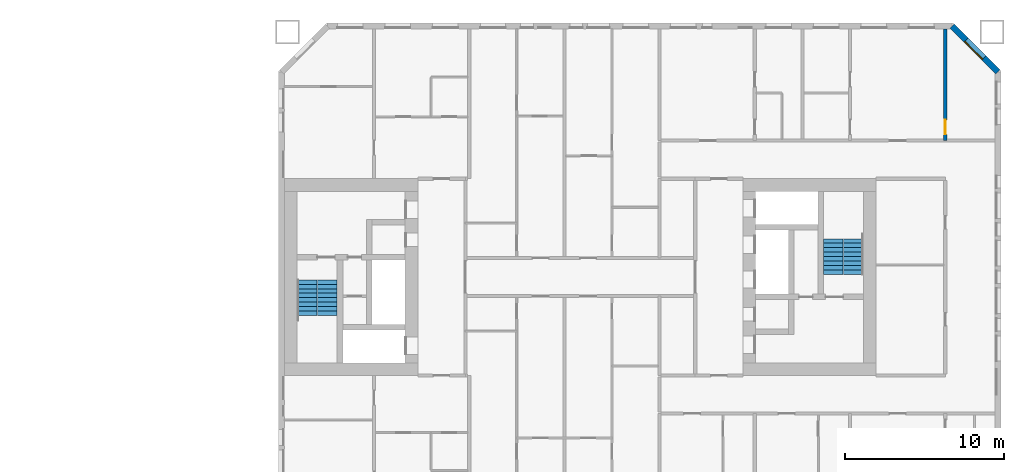
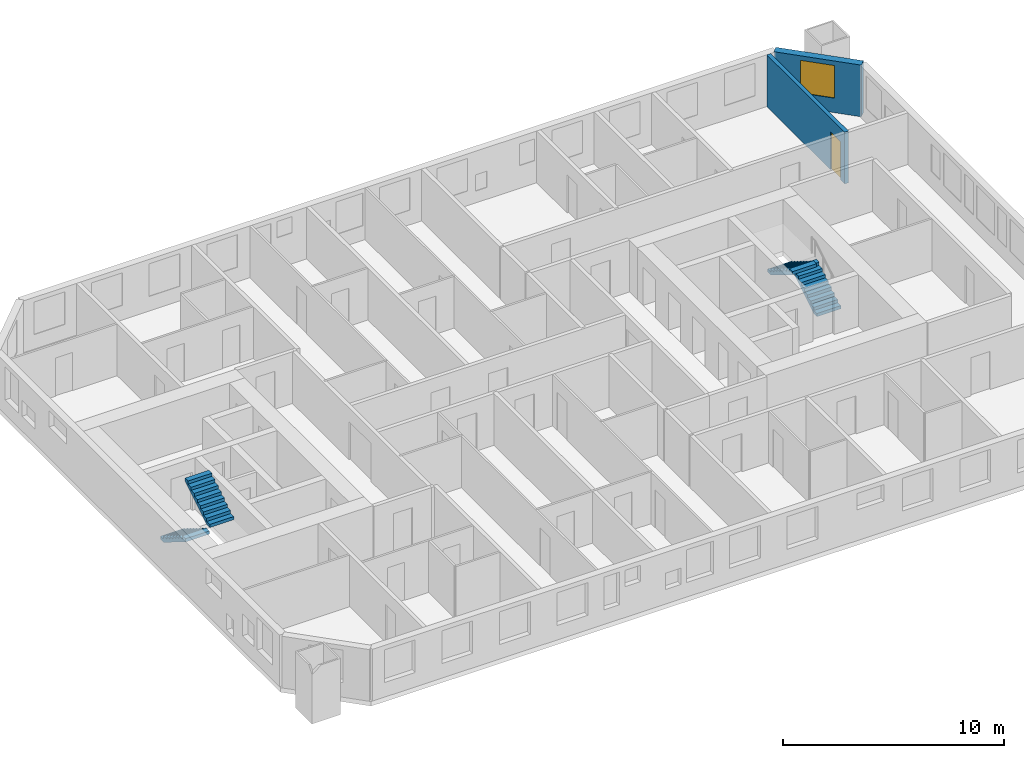
# One storey, part 17 of 19: 4 stair flights, 2 walls, 1 door, 1 window, 2 openings, 2 elements without a shape of their own.
"""IFC4 building model written with IfcOpenShell, lengths in metres."""

from ifc_helpers import new_model, si_unit, direction, frame, frame_2d, origin, place, context, subcontext, project, spatial, polyline, rectangle, outline, extrude, material, layer, layer_set, type_object, element, fill, aggregate, save


model = new_model("IFC4")

# Units and contexts
model_context = context("Model", 3, precision=1e-05, world=origin(), true_north=direction((0.0, 1.0)))
body_context = subcontext(model_context, "Body", "Model", "MODEL_VIEW")
ifc_project = project(units=[si_unit("LENGTHUNIT", "METRE"), si_unit("AREAUNIT", "SQUARE_METRE"), si_unit("VOLUMEUNIT", "CUBIC_METRE"), si_unit("PLANEANGLEUNIT", "RADIAN"), si_unit("MASSUNIT", "GRAM", prefix="KILO")], contexts=[model_context])

# Site, building, storey
site_placement = place(None, origin())
site = spatial("IfcSite", under=ifc_project, at=site_placement, CompositionType="ELEMENT")
building_placement = place(site_placement, origin())
building = spatial("IfcBuilding", under=site, at=building_placement, Name="Tuart Gate Housing", CompositionType="ELEMENT")
storey_placement = place(building_placement, frame((0.0, 0.0, 56.699951171875)))
storey = spatial("IfcBuildingStorey", under=building, at=storey_placement, Name="L15", CompositionType="ELEMENT", Elevation=56.699951171875)

# Wall, opening, window
ifc_material_1 = material(Name="Brick", Category="masonry")
ifc_layer_1 = layer(ifc_material_1, 0.360107421875)
ifc_layer_set_1 = layer_set([ifc_layer_1], Name="Brick pier and spandrel wall 360")
wall_type_1 = type_object("IfcWallType", Name="Brick pier and spandrel wall 360", PredefinedType="STANDARD", material=ifc_layer_set_1)
wall_1_placement = place(storey_placement, frame((176.320068359375, 82.92529296875, 0.0), z_axis=(0.0, 0.0, 1.0), x_axis=(-0.707106781187, 0.707106781187, 0.0)))
wall_1 = element("IfcWall", 1, at=wall_1_placement, inside=storey, type_object=wall_type_1, Name="External wall B-NE L15", PredefinedType="STANDARD", context=body_context, shape_type="SweptSolid", body=[
    extrude(rectangle(XDim=4.09375, YDim=0.360107421875, at=frame_2d((2.046875, 0.0))), origin(), (0.0, 0.0, 1.0), 2.85009765625),
])
opening_1_placement = place(wall_1_placement, frame((1.2470703125, 0.0, 0.800048828125)))
opening_1 = element("IfcOpeningElement", 2, at=opening_1_placement, cuts=wall_1, Name="Opening W1", PredefinedType="OPENING", context=body_context, shape_type="SweptSolid", body=[
    extrude(rectangle(XDim=1.60009765625, YDim=1.800048828125, at=frame_2d((0.800048828125, 0.89990234375))), frame((0.0, 0.18994140625, 0.0), z_axis=(0.0, -1.0, 0.0), x_axis=(1.0, 0.0, 0.0)), (0.0, 0.0, 1.0), 0.380126953125),
])
ifc_material_2 = material(Name="Aluminium frame with clear glass", Category="aluminium")
window_type = type_object("IfcWindowType", Name="Punched window 1600 x 1800", PartitioningType="SINGLE_PANEL", PredefinedType="WINDOW", material=ifc_material_2)
window_placement = place(opening_1_placement, origin())
window = element("IfcWindow", 3, at=window_placement, inside=storey, type_object=window_type, Name="Window W1", OverallHeight=1.800048828125, OverallWidth=1.60009765625, PartitioningType="SINGLE_PANEL", PredefinedType="WINDOW", context=body_context, shape_type="SweptSolid", body=[
    extrude(rectangle(XDim=1.60009765625, YDim=1.800048828125, at=frame_2d((0.800048828125, 0.89990234375))), frame((0.0, 0.150146484375, 0.0), z_axis=(0.0, -1.0, 0.0), x_axis=(1.0, 0.0, 0.0)), (0.0, 0.0, 1.0), 0.06005859375),
])
fill(opening_1, window)

# Wall, opening, door
ifc_material_3 = material(Name="Concrete C40", Category="concrete")
ifc_layer_2 = layer(ifc_material_3, 0.199951171875)
ifc_layer_set_2 = layer_set([ifc_layer_2], Name="Party wall concrete C40 200")
wall_type_2 = type_object("IfcWallType", Name="Party wall concrete C40 200", PredefinedType="SOLIDWALL", material=ifc_layer_set_2)
wall_2_placement = place(storey_placement, frame((173.0, 78.60009765625, 0.0), z_axis=(0.0, 0.0, 1.0), x_axis=(0.0, 1.0, 0.0)))
wall_2 = element("IfcWall", 4, at=wall_2_placement, inside=storey, type_object=wall_type_2, Name="Party wall concrete C40 200", PredefinedType="SOLIDWALL", context=body_context, shape_type="SweptSolid", body=[
    extrude(rectangle(XDim=7.039794921875, YDim=0.199951171875, at=frame_2d((3.52001953125, 0.0))), origin(), (0.0, 0.0, 1.0), 2.85009765625),
])
opening_2_placement = place(wall_2_placement, frame((0.39990234375, 0.0, 0.0)))
opening_2 = element("IfcOpeningElement", 5, at=opening_2_placement, cuts=wall_2, Name="Opening D782", PredefinedType="OPENING", context=body_context, shape_type="SweptSolid", body=[
    extrude(rectangle(XDim=0.89990234375, YDim=2.10009765625, at=frame_2d((0.449951171875, 1.050048828125))), frame((0.0, 0.10986328125, 0.0), z_axis=(0.0, -1.0, 0.0), x_axis=(1.0, 0.0, 0.0)), (0.0, 0.0, 1.0), 0.219970703125),
])
ifc_material_4 = material(Name="Timber door leaf in steel frame", Category="steel")
door_type = type_object("IfcDoorType", Name="Internal door 900 RH", OperationType="SINGLE_SWING_RIGHT", PredefinedType="DOOR", material=ifc_material_4)
door_placement = place(opening_2_placement, frame((0.89990234375, 0.0, 0.0), z_axis=(0.0, 0.0, 1.0), x_axis=(-1.0, 0.0, 0.0)))
door = element("IfcDoor", 6, at=door_placement, inside=storey, type_object=door_type, Name="Internal door", OperationType="SINGLE_SWING_RIGHT", OverallHeight=2.10009765625, OverallWidth=0.89990234375, PredefinedType="DOOR", context=body_context, shape_type="SweptSolid", body=[
    extrude(rectangle(XDim=0.89990234375, YDim=2.10009765625, at=frame_2d((0.449951171875, 1.050048828125))), frame((0.0, 0.025146484375, 0.0), z_axis=(0.0, -1.0, 0.0), x_axis=(1.0, 0.0, 0.0)), (0.0, 0.0, 1.0), 0.050048828125),
])
fill(opening_2, door)

# Stair, stair flights
ifc_material_5 = material(Name="Concrete C40", Category="concrete")
stair_type = type_object("IfcStairType", Name="Core stair 1250", PredefinedType="HALF_TURN_STAIR", material=ifc_material_5)
stair_1_placement = place(storey_placement, origin())
stair_1 = element("IfcStair", 7, at=stair_1_placement, inside=storey, type_object=stair_type, Name="Stair SB1", PredefinedType="HALF_TURN_STAIR")
ifc_material_6 = material(Name="Concrete C40", Category="concrete")
stair_flight_type = type_object("IfcStairFlightType", Name="Stair flight 1250, 9 risers 172 x 280", PredefinedType="STRAIGHT", material=ifc_material_6)
stair_flight_1_placement = place(storey_placement, frame((132.784912109375, 69.824951171875, 0.0), z_axis=(0.0, 0.0, 1.0), x_axis=(0.0, -1.0, 0.0)))
stair_flight_1 = element("IfcStairFlight", 8, at=stair_flight_1_placement, type_object=stair_flight_type, Name="SB1 flight 1", NumberOfRisers=9, NumberOfTreads=8, PredefinedType="STRAIGHT", RiserHeight=0.172222222, TreadLength=0.28, context=body_context, shape_type="SweptSolid", body=[
    extrude(outline(polyline([(0.0, 0.0), (0.0, 0.172119140625), (0.280029296875, 0.172119140625), (0.280029296875, 0.344482421875), (0.56005859375, 0.344482421875), (0.56005859375, 0.5166015625), (0.840087890625, 0.5166015625), (0.840087890625, 0.68896484375), (1.1201171875, 0.68896484375), (1.1201171875, 0.861083984375), (1.39990234375, 0.861083984375), (1.39990234375, 1.033447265625), (1.679931640625, 1.033447265625), (1.679931640625, 1.20556640625), (1.9599609375, 1.20556640625), (1.9599609375, 1.377685546875), (2.239990234375, 1.377685546875), (2.239990234375, 1.550048828125), (2.239990234375, 1.201904296875), (0.2861328125, 0.0), (0.0, 0.0)])), frame((0.0, 0.625, 0.0), z_axis=(0.0, -1.0, 0.0), x_axis=(1.0, 0.0, 0.0)), (0.0, 0.0, 1.0), 1.25),
])
stair_flight_2_placement = place(storey_placement, frame((134.06005859375, 67.5849609375, 1.550048828125), z_axis=(0.0, 0.0, 1.0), x_axis=(0.0, 1.0, 0.0)))
stair_flight_2 = element("IfcStairFlight", 9, at=stair_flight_2_placement, type_object=stair_flight_type, Name="SB1 flight 2", NumberOfRisers=9, NumberOfTreads=8, PredefinedType="STRAIGHT", RiserHeight=0.172222222, TreadLength=0.28, context=body_context, shape_type="SweptSolid", body=[
    extrude(outline(polyline([(0.0, 0.0), (0.0, 0.172119140625), (0.280029296875, 0.172119140625), (0.280029296875, 0.344482421875), (0.56005859375, 0.344482421875), (0.56005859375, 0.5166015625), (0.840087890625, 0.5166015625), (0.840087890625, 0.68896484375), (1.1201171875, 0.68896484375), (1.1201171875, 0.861083984375), (1.39990234375, 0.861083984375), (1.39990234375, 1.033447265625), (1.679931640625, 1.033447265625), (1.679931640625, 1.20556640625), (1.9599609375, 1.20556640625), (1.9599609375, 1.377685546875), (2.239990234375, 1.377685546875), (2.239990234375, 1.550048828125), (2.239990234375, 1.201904296875), (0.2861328125, 0.0), (0.0, 0.0)])), frame((0.0, 0.625, 0.0), z_axis=(0.0, -1.0, 0.0), x_axis=(1.0, 0.0, 0.0)), (0.0, 0.0, 1.0), 1.25),
])
aggregate(stair_1, [stair_flight_1, stair_flight_2])

stair_2_placement = place(storey_placement, origin())
stair_2 = element("IfcStair", 10, at=stair_2_placement, inside=storey, type_object=stair_type, Name="Stair SB2", PredefinedType="HALF_TURN_STAIR")
stair_flight_3_placement = place(storey_placement, frame((167.215087890625, 70.175048828125, 0.0), z_axis=(0.0, 0.0, 1.0), x_axis=(0.0, 1.0, 0.0)))
stair_flight_3 = element("IfcStairFlight", 11, at=stair_flight_3_placement, type_object=stair_flight_type, Name="SB2 flight 1", NumberOfRisers=9, NumberOfTreads=8, PredefinedType="STRAIGHT", RiserHeight=0.172222222, TreadLength=0.28, context=body_context, shape_type="SweptSolid", body=[
    extrude(outline(polyline([(0.0, 0.0), (0.0, 0.172119140625), (0.280029296875, 0.172119140625), (0.280029296875, 0.344482421875), (0.56005859375, 0.344482421875), (0.56005859375, 0.5166015625), (0.840087890625, 0.5166015625), (0.840087890625, 0.68896484375), (1.1201171875, 0.68896484375), (1.1201171875, 0.861083984375), (1.39990234375, 0.861083984375), (1.39990234375, 1.033447265625), (1.679931640625, 1.033447265625), (1.679931640625, 1.20556640625), (1.9599609375, 1.20556640625), (1.9599609375, 1.377685546875), (2.239990234375, 1.377685546875), (2.239990234375, 1.550048828125), (2.239990234375, 1.201904296875), (0.2861328125, 0.0), (0.0, 0.0)])), frame((0.0, 0.625, 0.0), z_axis=(0.0, -1.0, 0.0), x_axis=(1.0, 0.0, 0.0)), (0.0, 0.0, 1.0), 1.25),
])
stair_flight_4_placement = place(storey_placement, frame((165.93994140625, 72.4150390625, 1.550048828125), z_axis=(0.0, 0.0, 1.0), x_axis=(0.0, -1.0, 0.0)))
stair_flight_4 = element("IfcStairFlight", 12, at=stair_flight_4_placement, type_object=stair_flight_type, Name="SB2 flight 2", NumberOfRisers=9, NumberOfTreads=8, PredefinedType="STRAIGHT", RiserHeight=0.172222222, TreadLength=0.28, context=body_context, shape_type="SweptSolid", body=[
    extrude(outline(polyline([(0.0, 0.0), (0.0, 0.172119140625), (0.280029296875, 0.172119140625), (0.280029296875, 0.344482421875), (0.56005859375, 0.344482421875), (0.56005859375, 0.5166015625), (0.840087890625, 0.5166015625), (0.840087890625, 0.68896484375), (1.1201171875, 0.68896484375), (1.1201171875, 0.861083984375), (1.39990234375, 0.861083984375), (1.39990234375, 1.033447265625), (1.679931640625, 1.033447265625), (1.679931640625, 1.20556640625), (1.9599609375, 1.20556640625), (1.9599609375, 1.377685546875), (2.239990234375, 1.377685546875), (2.239990234375, 1.550048828125), (2.239990234375, 1.201904296875), (0.2861328125, 0.0), (0.0, 0.0)])), frame((0.0, 0.625, 0.0), z_axis=(0.0, -1.0, 0.0), x_axis=(1.0, 0.0, 0.0)), (0.0, 0.0, 1.0), 1.25),
])
aggregate(stair_2, [stair_flight_3, stair_flight_4])

save(model, "model.ifc")
